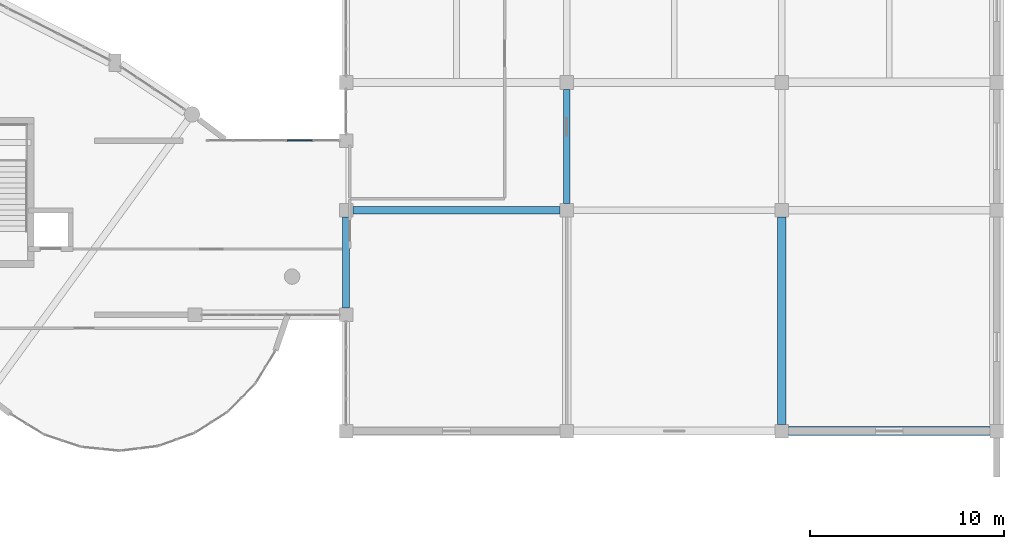
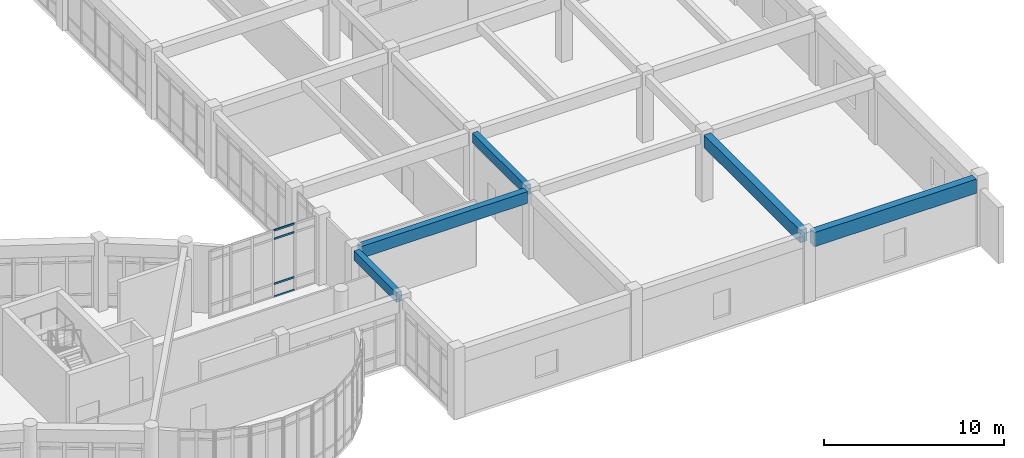
# One storey, part 24 of 65: 5 beams, 4 members, 1 element without a shape of its own.
"""IFC4 building model written with IfcOpenShell, lengths in metres."""

from ifc_helpers import new_model, si_unit, direction, frame, origin, origin_2d, place, context, subcontext, project, spatial, rectangle, extrude, material, layer, layer_set, material_profile, profile_set, type_object, element, aggregate, save


model = new_model("IFC4")

# Units and contexts
model_context = context("Model", 3, precision=1e-05, world=origin(), true_north=direction((0.0, 1.0)))
body_context = subcontext(model_context, "Body", "Model", "MODEL_VIEW")
ifc_project = project(units=[si_unit("LENGTHUNIT", "METRE"), si_unit("AREAUNIT", "SQUARE_METRE"), si_unit("VOLUMEUNIT", "CUBIC_METRE"), si_unit("PLANEANGLEUNIT", "RADIAN"), si_unit("MASSUNIT", "GRAM", prefix="KILO")], contexts=[model_context])

# Site, building, storey
site_placement = place(None, origin())
site = spatial("IfcSite", under=ifc_project, at=site_placement, CompositionType="ELEMENT")
building_placement = place(site_placement, origin())
building = spatial("IfcBuilding", under=site, at=building_placement, Name="Miralva Faculty of Natural Sciences", CompositionType="ELEMENT")
storey_placement = place(building_placement, frame((0.0, 0.0, 10.199951171875)))
storey = spatial("IfcBuildingStorey", under=building, at=storey_placement, Name="L02", CompositionType="ELEMENT", Elevation=10.199951171875)

# Beams
ifc_material_1 = material(Name="Concrete C40/50", Category="concrete")
ifc_material_profile_1 = material_profile(ifc_material_1, rectangle(XDim=0.449951171875, YDim=0.85009765625, at=origin_2d()), Name="RC 450x850")
ifc_profile_set_1 = profile_set([ifc_material_profile_1], Name="Concrete C40/50")
beam_type_1 = type_object("IfcBeamType", Name="BM-B01", PredefinedType="BEAM", material=ifc_profile_set_1)
beam_1_placement = place(storey_placement, frame((156.300048828125, 12.35009765625, 4.094970703125), z_axis=(0.0, 1.0, 0.0), x_axis=(-1.0, 0.0, 0.0)))
element("IfcBeam", 1, at=beam_1_placement, inside=storey, type_object=beam_type_1, Name="Girder NS L02-134", PredefinedType="BEAM", context=body_context, shape_type="SweptSolid", body=[
    extrude(rectangle(XDim=0.449951171875, YDim=0.85009765625, at=origin_2d()), origin(), (0.0, 0.0, 1.0), 10.699951171875),
])
ifc_material_profile_2 = material_profile(ifc_material_1, rectangle(XDim=0.39990234375, YDim=0.800048828125, at=origin_2d()), Name="RC 400x800")
ifc_profile_set_2 = profile_set([ifc_material_profile_2], Name="Concrete C40/50")
beam_type_2 = type_object("IfcBeamType", Name="BM-B02", PredefinedType="BEAM", material=ifc_profile_set_2)
beam_2_placement = place(storey_placement, frame((134.14990234375, 23.39990234375, 4.1201171875), z_axis=(1.0, 0.0, 0.0), x_axis=(0.0, 1.0, 0.0)))
element("IfcBeam", 2, at=beam_2_placement, inside=storey, type_object=beam_type_2, Name="Girder EW L02-22", PredefinedType="BEAM", context=body_context, shape_type="SweptSolid", body=[
    extrude(rectangle(XDim=0.39990234375, YDim=0.800048828125, at=origin_2d()), origin(), (0.0, 0.0, 1.0), 10.7001953125),
])
ifc_material_profile_3 = material_profile(ifc_material_1, rectangle(XDim=0.35009765625, YDim=0.64990234375, at=origin_2d()), Name="RC 350x650")
ifc_profile_set_3 = profile_set([ifc_material_profile_3], Name="Concrete C40/50")
beam_type_3 = type_object("IfcBeamType", Name="BM-B05", PredefinedType="BEAM", material=ifc_profile_set_3)
beam_3_placement = place(storey_placement, frame((133.800048828125, 18.35009765625, 4.195068359375), z_axis=(0.0, 1.0, 0.0), x_axis=(-1.0, 0.0, 0.0)))
element("IfcBeam", 3, at=beam_3_placement, inside=storey, type_object=beam_type_3, Name="Girder NS L02-121", PredefinedType="BEAM", context=body_context, shape_type="SweptSolid", body=[
    extrude(rectangle(XDim=0.35009765625, YDim=0.64990234375, at=origin_2d()), origin(), (0.0, 0.0, 1.0), 4.699951171875),
])
beam_4_placement = place(storey_placement, frame((145.199951171875, 23.75, 4.195068359375), z_axis=(0.0, 1.0, 0.0), x_axis=(-1.0, 0.0, 0.0)))
element("IfcBeam", 4, at=beam_4_placement, inside=storey, type_object=beam_type_3, Name="Girder NS L02-128", PredefinedType="BEAM", context=body_context, shape_type="SweptSolid", body=[
    extrude(rectangle(XDim=0.35009765625, YDim=0.64990234375, at=origin_2d()), origin(), (0.0, 0.0, 1.0), 5.89990234375),
])
ifc_material_profile_4 = material_profile(ifc_material_1, rectangle(XDim=0.4599609375, YDim=0.9599609375, at=origin_2d()), Name="RC 460x960")
ifc_profile_set_4 = profile_set([ifc_material_profile_4], Name="Concrete C40/50")
beam_type_4 = type_object("IfcBeamType", Name="BM-BG16", PredefinedType="BEAM", material=ifc_profile_set_4)
beam_5_placement = place(storey_placement, frame((156.64990234375, 12.0, 4.0400390625), z_axis=(1.0, 0.0, 0.0), x_axis=(0.0, 1.0, 0.0)))
element("IfcBeam", 5, at=beam_5_placement, inside=storey, type_object=beam_type_4, Name="Girder EW L02-13", PredefinedType="BEAM", context=body_context, shape_type="SweptSolid", body=[
    extrude(rectangle(XDim=0.4599609375, YDim=0.9599609375, at=origin_2d()), origin(), (0.0, 0.0, 1.0), 10.400146484375),
])

# Curtain wall, members
ifc_material_2 = material(Name="Laminated solar-control glass", Category="glass")
ifc_layer = layer(ifc_material_2, 0.179931640625, Name="CW-COM-L01")
ifc_layer_set = layer_set([ifc_layer], Name="Laminated solar-control glass")
curtain_wall_type = type_object("IfcCurtainWallType", Name="CW-COM-L01", PredefinedType="USERDEFINED", material=ifc_layer_set)
curtain_wall_placement = place(storey_placement, origin())
curtain_wall = element("IfcCurtainWall", 6, at=curtain_wall_placement, inside=storey, type_object=curtain_wall_type, Name="Curtain wall CW-10 L02-299", ObjectType="UNITISED CURTAIN WALL", PredefinedType="USERDEFINED")
ifc_material_3 = material(Name="Anodised aluminium", Category="aluminium")
ifc_material_profile_5 = material_profile(ifc_material_3, rectangle(XDim=0.06005859375, YDim=0.1201171875, at=origin_2d()), Name="TRANSOM 60x120")
ifc_profile_set_5 = profile_set([ifc_material_profile_5], Name="Anodised aluminium")
member_type = type_object("IfcMemberType", Name="CW-T02", PredefinedType="USERDEFINED", material=ifc_profile_set_5)
member_1_placement = place(storey_placement, frame((130.757080078125, 27.0, 0.030029296875), z_axis=(1.0, 0.0, 0.0), x_axis=(0.0, 1.0, 0.0)))
member_1 = element("IfcMember", 7, at=member_1_placement, type_object=member_type, Name="CW-10 transom 4.1", ObjectType="TRANSOM", PredefinedType="USERDEFINED", context=body_context, shape_type="SweptSolid", body=[
    extrude(rectangle(XDim=0.06005859375, YDim=0.1201171875, at=origin_2d()), origin(), (0.0, 0.0, 1.0), 1.308837890625),
])
member_2_placement = place(storey_placement, frame((130.757080078125, 27.0, 0.900146484375), z_axis=(1.0, 0.0, 0.0), x_axis=(0.0, 1.0, 0.0)))
member_2 = element("IfcMember", 8, at=member_2_placement, type_object=member_type, Name="CW-10 transom 4.2", ObjectType="TRANSOM", PredefinedType="USERDEFINED", context=body_context, shape_type="SweptSolid", body=[
    extrude(rectangle(XDim=0.06005859375, YDim=0.1201171875, at=origin_2d()), origin(), (0.0, 0.0, 1.0), 1.308837890625),
])
member_3_placement = place(storey_placement, frame((130.757080078125, 27.0, 3.949951171875), z_axis=(1.0, 0.0, 0.0), x_axis=(0.0, 1.0, 0.0)))
member_3 = element("IfcMember", 9, at=member_3_placement, type_object=member_type, Name="CW-10 transom 4.3", ObjectType="TRANSOM", PredefinedType="USERDEFINED", context=body_context, shape_type="SweptSolid", body=[
    extrude(rectangle(XDim=0.06005859375, YDim=0.1201171875, at=origin_2d()), origin(), (0.0, 0.0, 1.0), 1.308837890625),
])
member_4_placement = place(storey_placement, frame((130.757080078125, 27.0, 4.52001953125), z_axis=(1.0, 0.0, 0.0), x_axis=(0.0, 1.0, 0.0)))
member_4 = element("IfcMember", 10, at=member_4_placement, type_object=member_type, Name="CW-10 transom 4.4", ObjectType="TRANSOM", PredefinedType="USERDEFINED", context=body_context, shape_type="SweptSolid", body=[
    extrude(rectangle(XDim=0.06005859375, YDim=0.1201171875, at=origin_2d()), origin(), (0.0, 0.0, 1.0), 1.308837890625),
])
aggregate(curtain_wall, [member_1, member_2, member_3, member_4])

save(model, "model.ifc")
